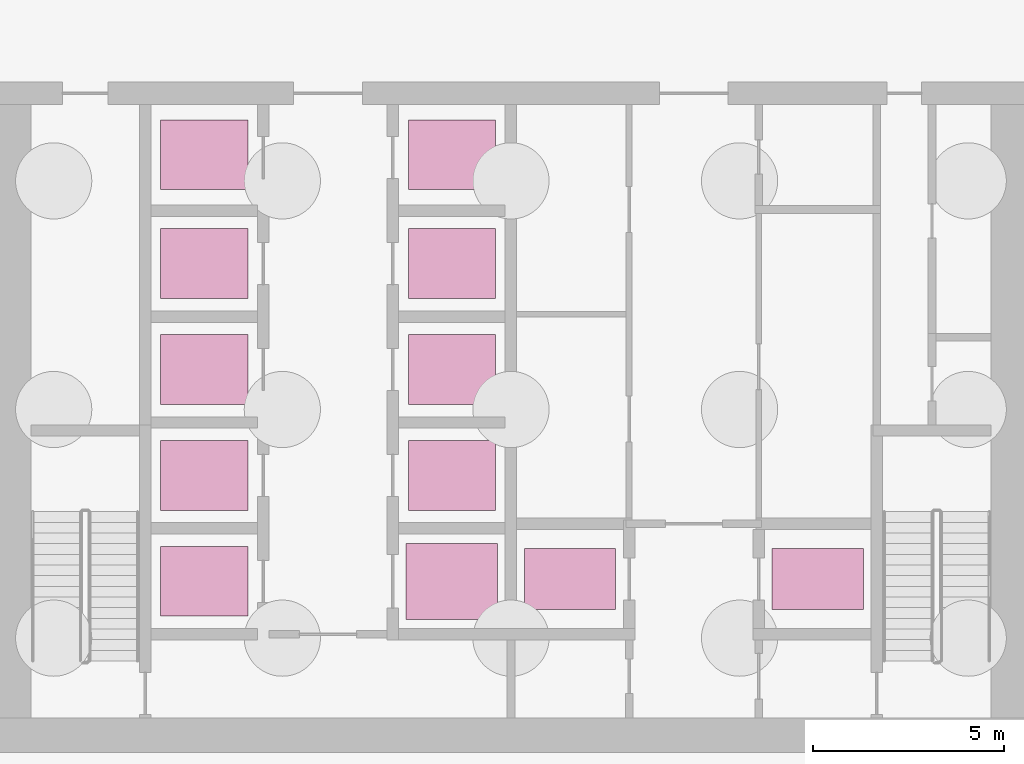
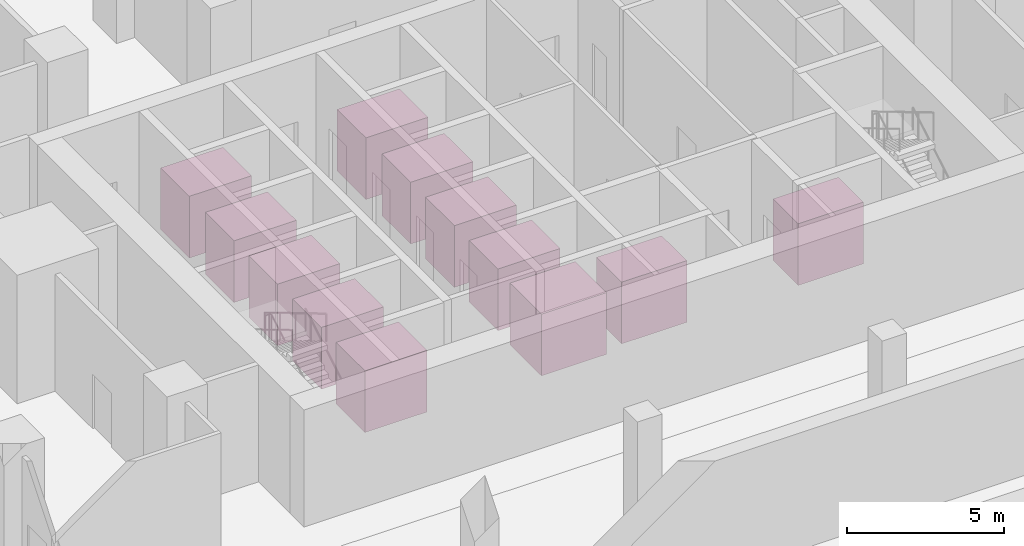
# One storey, part 12 of 12: 12 transport elements.
"""IFC4 building model written with IfcOpenShell, lengths in metres."""

from ifc_helpers import new_model, si_unit, direction, frame, origin, origin_2d, place, context, subcontext, project, spatial, rectangle, extrude, material, type_object, element, save


model = new_model("IFC4")

# Units and contexts
model_context = context("Model", 3, precision=1e-05, world=origin(), true_north=direction((0.0, 1.0)))
body_context = subcontext(model_context, "Body", "Model", "MODEL_VIEW")
ifc_project = project(units=[si_unit("LENGTHUNIT", "METRE"), si_unit("AREAUNIT", "SQUARE_METRE"), si_unit("VOLUMEUNIT", "CUBIC_METRE"), si_unit("PLANEANGLEUNIT", "RADIAN"), si_unit("MASSUNIT", "GRAM", prefix="KILO")], contexts=[model_context])

# Site, building, storey
site_placement = place(None, origin())
site = spatial("IfcSite", under=ifc_project, at=site_placement, CompositionType="ELEMENT")
building_placement = place(site_placement, origin())
building = spatial("IfcBuilding", under=site, at=building_placement, Name="Finial Court Residences", CompositionType="ELEMENT")
storey_placement = place(building_placement, frame((0.0, 0.0, -5.0)))
storey = spatial("IfcBuildingStorey", under=building, at=storey_placement, Name="B1", CompositionType="ELEMENT", Elevation=-5.0)

# Transport elements
ifc_material = material(Name="Stainless steel lift car", Category="steel")
transport_element_type_1 = type_object("IfcTransportElementType", Name="Firefighting lift car 1600 x 2400", PredefinedType="ELEVATOR", material=ifc_material)
for number, where, z_axis, x_axis, name in (
    (1, (1.550048828125, -20.949951171875, 0.0), (0.0, 0.0, 1.0), (1.0, 0.0, 0.0), "Lift FF1 (firefighting)"),
    (2, (8.050048828125, -20.949951171875, 0.0), (0.0, 0.0, 1.0), (1.0, 0.0, 0.0), "Lift FF2 (firefighting)"),
):
    element("IfcTransportElement", number, at=place(storey_placement, frame(where, z_axis=z_axis, x_axis=x_axis)), inside=storey, type_object=transport_element_type_1, Name=name, PredefinedType="ELEVATOR", context=body_context, shape_type="SweptSolid", body=[
        extrude(rectangle(XDim=2.39990234375, YDim=1.60009765625, at=origin_2d()), origin(), (0.0, 0.0, 1.0), 2.39990234375),
    ])
transport_element_type_2 = type_object("IfcTransportElementType", Name="Passenger lift car 1830 x 2290", PredefinedType="ELEVATOR", material=ifc_material)
for number, where, z_axis, x_axis, name in (
    (3, (-8.050048828125, -21.010009765625, 0.0), (0.0, 0.0, 1.0), (1.0, 0.0, 0.0), "Lift LR1 (low-rise)"),
    (4, (-8.050048828125, -18.22998046875, 0.0), (0.0, 0.0, 1.0), (1.0, 0.0, 0.0), "Lift LR2 (low-rise)"),
    (5, (-8.050048828125, -15.449951171875, 0.0), (0.0, 0.0, 1.0), (1.0, 0.0, 0.0), "Lift LR3 (low-rise)"),
    (6, (-8.050048828125, -12.669921875, 0.0), (0.0, 0.0, 1.0), (1.0, 0.0, 0.0), "Lift LR4 (low-rise)"),
    (7, (-8.050048828125, -9.81494140625, 0.0), (0.0, 0.0, 1.0), (1.0, 0.0, 0.0), "Lift LR5 (low-rise)"),
    (8, (-1.550048828125, -9.81494140625, 0.0), (0.0, 0.0, 1.0), (1.0, 0.0, 0.0), "Lift LR6 (low-rise)"),
    (9, (-1.550048828125, -18.22998046875, 0.0), (0.0, 0.0, 1.0), (1.0, 0.0, 0.0), "Lift SH1 (shuttle)"),
    (10, (-1.550048828125, -15.449951171875, 0.0), (0.0, 0.0, 1.0), (1.0, 0.0, 0.0), "Lift SH2 (shuttle)"),
    (11, (-1.550048828125, -12.669921875, 0.0), (0.0, 0.0, 1.0), (1.0, 0.0, 0.0), "Lift SH3 (shuttle)"),
):
    element("IfcTransportElement", number, at=place(storey_placement, frame(where, z_axis=z_axis, x_axis=x_axis)), inside=storey, type_object=transport_element_type_2, Name=name, PredefinedType="ELEVATOR", context=body_context, shape_type="SweptSolid", body=[
        extrude(rectangle(XDim=2.2900390625, YDim=1.830078125, at=origin_2d()), origin(), (0.0, 0.0, 1.0), 2.39990234375),
    ])
transport_element_type_3 = type_object("IfcTransportElementType", Name="Service lift car 2000 x 2400", PredefinedType="ELEVATOR", material=ifc_material)
transport_element_placement = place(storey_placement, frame((-1.550048828125, -21.010009765625, 0.0), z_axis=(0.0, 0.0, 1.0), x_axis=(1.0, 0.0, 0.0)))
element("IfcTransportElement", 12, at=transport_element_placement, inside=storey, type_object=transport_element_type_3, Name="Lift SV1 (service)", PredefinedType="ELEVATOR", context=body_context, shape_type="SweptSolid", body=[
    extrude(rectangle(XDim=2.39990234375, YDim=2.0, at=origin_2d()), origin(), (0.0, 0.0, 1.0), 2.39990234375),
])

save(model, "model.ifc")
